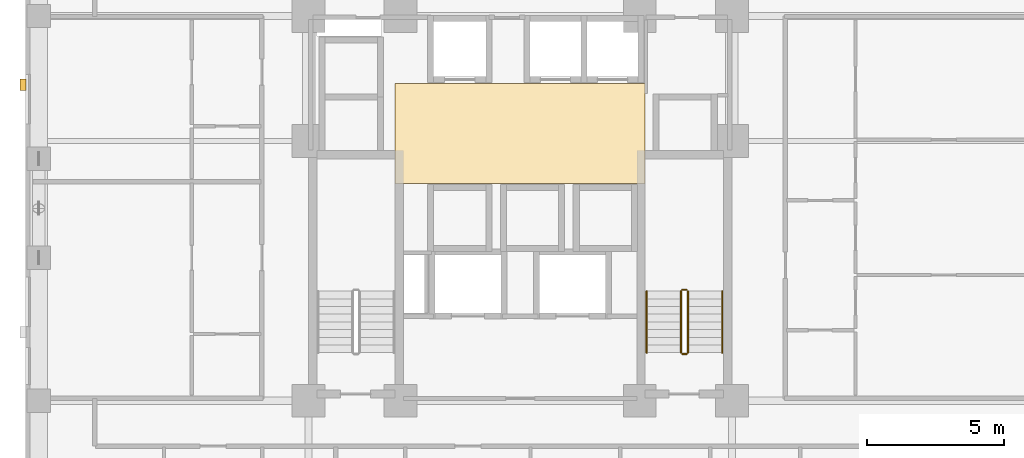
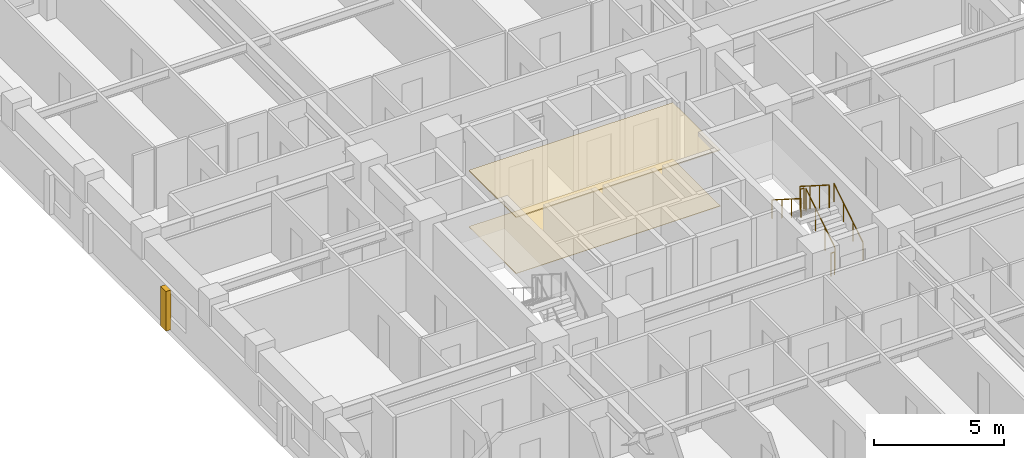
# One storey, part 13 of 14: 6 railings, 3 coverings.
"""IFC4 building model written with IfcOpenShell, lengths in metres."""

from ifc_helpers import new_model, si_unit, derived_unit, direction, frame, origin, origin_2d, place, context, subcontext, project, spatial, polyline, rectangle, circle, outline, extrude, material, layer, layer_set, type_object, element, save


model = new_model("IFC4")

# Units and contexts
model_context = context("Model", 3, precision=1e-05, world=origin(), true_north=direction((0.0, 1.0)))
body_context = subcontext(model_context, "Body", "Model", "MODEL_VIEW")
ifc_project = project(units=[si_unit("LENGTHUNIT", "METRE"), si_unit("AREAUNIT", "SQUARE_METRE"), si_unit("VOLUMEUNIT", "CUBIC_METRE"), si_unit("PLANEANGLEUNIT", "RADIAN"), si_unit("MASSUNIT", "GRAM", prefix="KILO"), derived_unit("THERMALTRANSMITTANCEUNIT", [(si_unit("MASSUNIT", "GRAM", prefix="KILO"), 1), (si_unit("TIMEUNIT", "SECOND"), -3), (si_unit("THERMODYNAMICTEMPERATUREUNIT", "KELVIN"), -1)])], contexts=[model_context])

# Site, building, storey
site_placement = place(None, origin())
site = spatial("IfcSite", under=ifc_project, at=site_placement, CompositionType="ELEMENT")
building_placement = place(site_placement, origin())
building = spatial("IfcBuilding", under=site, at=building_placement, Name="Korrvale Station Residences", CompositionType="ELEMENT")
storey_placement = place(building_placement, frame((0.0, 0.0, 67.39990234375)))
storey = spatial("IfcBuildingStorey", under=building, at=storey_placement, Name="L18", CompositionType="ELEMENT", Elevation=67.39990234375)

# Coverings
ifc_material_1 = material(Name="Perforated acoustic mineral-fibre suspended ceiling", Category="gypsum")
ifc_layer_1 = layer(ifc_material_1, 0.050048828125, Name="Perforated acoustic mineral-fibre suspended ceiling")
ifc_layer_set_1 = layer_set([ifc_layer_1], Name="Perforated acoustic mineral-fibre suspended ceiling")
covering_type_1 = type_object("IfcCoveringType", Name="COV-CLG-AC60", PredefinedType="CEILING", material=ifc_layer_set_1)
covering_1_placement = place(storey_placement, frame((0.0, 0.0, 2.630126953125)))
element("IfcCovering", 1, at=covering_1_placement, inside=storey, type_object=covering_type_1, Name="L18 Elevator Lobby Acoustic Ceiling", PredefinedType="CEILING", context=body_context, shape_type="SweptSolid", body=[
    extrude(outline(polyline([(20.949951171875, 22.89990234375), (30.050048828125, 22.89990234375), (30.050048828125, 26.550048828125), (20.949951171875, 26.550048828125), (20.949951171875, 22.89990234375)])), origin(), (0.0, 0.0, 1.0), 0.050048828125),
])
ifc_material_2 = material(Name="Polished quartz-terrazzo lobby flooring", Category="masonry")
ifc_layer_2 = layer(ifc_material_2, 0.02001953125, Name="Polished quartz-terrazzo lobby flooring")
ifc_layer_set_2 = layer_set([ifc_layer_2], Name="Polished quartz-terrazzo lobby flooring")
covering_type_2 = type_object("IfcCoveringType", Name="COV-FLR-TER20", PredefinedType="FLOORING", material=ifc_layer_set_2)
covering_2_placement = place(storey_placement, origin())
element("IfcCovering", 2, at=covering_2_placement, inside=storey, type_object=covering_type_2, Name="L18 Elevator Lobby Terrazzo Flooring", PredefinedType="FLOORING", context=body_context, shape_type="SweptSolid", body=[
    extrude(outline(polyline([(20.949951171875, 22.89990234375), (30.050048828125, 22.89990234375), (30.050048828125, 26.550048828125), (20.949951171875, 26.550048828125), (20.949951171875, 22.89990234375)])), origin(), (0.0, 0.0, 1.0), 0.02001953125),
])
ifc_material_3 = material(Name="Architectural precast concrete C45/55", Category="concrete")
ifc_layer_3 = layer(ifc_material_3, 0.219970703125, Name="Architectural precast concrete C45/55")
ifc_layer_set_3 = layer_set([ifc_layer_3], Name="Architectural precast concrete C45/55")
covering_type_3 = type_object("IfcCoveringType", Name="COV-PIER-400", PredefinedType="CLADDING", material=ifc_layer_set_3)
covering_3_placement = place(storey_placement, frame((7.409912109375, 26.5, 0.02490234375), z_axis=(0.0, 0.0, 1.0), x_axis=(0.0, 1.0, 0.0)))
element("IfcCovering", 3, at=covering_3_placement, inside=storey, type_object=covering_type_3, Name="L18 Architectural Precast Facade Pier 14", PredefinedType="CLADDING", context=body_context, shape_type="SweptSolid", body=[
    extrude(rectangle(XDim=0.419921875, YDim=0.219970703125, at=origin_2d()), origin(), (0.0, 0.0, 1.0), 1.864990234375),
])

# Railings
ifc_material_4 = material(Name="Brushed stainless-steel continuous stair handrail", Category="steel")
railing_type_1 = type_object("IfcRailingType", Name="RLG-SHND-900", PredefinedType="HANDRAIL", material=ifc_material_4)
railing_1_placement = place(storey_placement, frame((32.85009765625, 16.75, 0.177978515625)))
element("IfcRailing", 4, at=railing_1_placement, inside=storey, type_object=railing_type_1, Name="L18 ST-2 stair handrail 1", PredefinedType="HANDRAIL", context=body_context, shape_type="SweptSolid", body=[
    extrude(circle(Radius=0.02392578125, at=origin_2d()), frame((0.0, 0.0, 0.8759765625), z_axis=(0.0, 0.8442293374, 0.53598211339), x_axis=(-1.0, 0.0, 0.0)), (0.0, 0.0, 1.0), 2.6533203125),
    extrude(circle(Radius=0.02099609375, at=origin_2d()), origin(), (0.0, 0.0, 1.0), 0.851806640625),
    extrude(circle(Radius=0.02099609375, at=origin_2d()), frame((0.0, 0.74658203125, 0.47412109375)), (0.0, 0.0, 1.0), 0.851806640625),
    extrude(circle(Radius=0.02099609375, at=origin_2d()), frame((0.0, 1.493408203125, 0.947998046875)), (0.0, 0.0, 1.0), 0.851806640625),
    extrude(circle(Radius=0.02099609375, at=origin_2d()), frame((0.0, 2.239990234375, 1.422119140625)), (0.0, 0.0, 1.0), 0.851806640625),
])
railing_2_placement = place(storey_placement, frame((30.10009765625, 18.989990234375, 1.77783203125)))
element("IfcRailing", 5, at=railing_2_placement, inside=storey, type_object=railing_type_1, Name="L18 ST-2 stair handrail 2", PredefinedType="HANDRAIL", context=body_context, shape_type="SweptSolid", body=[
    extrude(circle(Radius=0.02392578125, at=origin_2d()), frame((0.0, 0.0, 0.8759765625), z_axis=(0.0, -0.84418770128, 0.536047689118), x_axis=(1.0, 0.0, 0.0)), (0.0, 0.0, 1.0), 2.6533203125),
    extrude(circle(Radius=0.02099609375, at=origin_2d()), origin(), (0.0, 0.0, 1.0), 0.851806640625),
    extrude(circle(Radius=0.02099609375, at=origin_2d()), frame((0.0, -0.74658203125, 0.47412109375)), (0.0, 0.0, 1.0), 0.851806640625),
    extrude(circle(Radius=0.02099609375, at=origin_2d()), frame((0.0, -1.493408203125, 0.9482421875)), (0.0, 0.0, 1.0), 0.851806640625),
    extrude(circle(Radius=0.02099609375, at=origin_2d()), frame((0.0, -2.239990234375, 1.42236328125)), (0.0, 0.0, 1.0), 0.851806640625),
])
ifc_material_5 = material(Name="Galvanised painted tubular steel stair guard", Category="steel")
railing_type_2 = type_object("IfcRailingType", Name="RLG-STR-1100", PredefinedType="GUARDRAIL", material=ifc_material_5)
railing_3_placement = place(storey_placement, frame((31.60009765625, 16.75, 0.177978515625)))
element("IfcRailing", 6, at=railing_3_placement, inside=storey, type_object=railing_type_2, Name="L18 ST-2 stair guard 1", PredefinedType="GUARDRAIL", context=body_context, shape_type="SweptSolid", body=[
    extrude(circle(Radius=0.02392578125, at=origin_2d()), frame((0.0, 0.0, 1.076171875), z_axis=(0.0, 0.8442293374, 0.53598211339), x_axis=(-1.0, 0.0, 0.0)), (0.0, 0.0, 1.0), 2.6533203125),
    extrude(circle(Radius=0.02099609375, at=origin_2d()), origin(), (0.0, 0.0, 1.0), 1.052001953125),
    extrude(circle(Radius=0.02099609375, at=origin_2d()), frame((0.0, 0.74658203125, 0.47412109375)), (0.0, 0.0, 1.0), 1.052001953125),
    extrude(circle(Radius=0.02099609375, at=origin_2d()), frame((0.0, 1.493408203125, 0.947998046875)), (0.0, 0.0, 1.0), 1.052001953125),
    extrude(circle(Radius=0.02099609375, at=origin_2d()), frame((0.0, 2.239990234375, 1.422119140625)), (0.0, 0.0, 1.0), 1.052001953125),
])
railing_4_placement = place(storey_placement, frame((31.550048828125, 19.0400390625, 1.60009765625)))
element("IfcRailing", 7, at=railing_4_placement, inside=storey, type_object=railing_type_2, Name="L18 ST-2 stair guard 2", PredefinedType="GUARDRAIL", context=body_context, shape_type="SweptSolid", body=[
    extrude(circle(Radius=0.02392578125, at=origin_2d()), frame((0.0, 0.0, 1.076171875), z_axis=(-1.0, 0.0, 0.0), x_axis=(0.0, -1.0, 0.0)), (0.0, 0.0, 1.0), 0.150146484375),
    extrude(circle(Radius=0.02099609375, at=origin_2d()), origin(), (0.0, 0.0, 1.0), 1.052001953125),
    extrude(circle(Radius=0.02099609375, at=origin_2d()), frame((-0.150146484375, 0.0, 0.0)), (0.0, 0.0, 1.0), 1.052001953125),
])
railing_5_placement = place(storey_placement, frame((31.35009765625, 18.989990234375, 1.77783203125)))
element("IfcRailing", 8, at=railing_5_placement, inside=storey, type_object=railing_type_2, Name="L18 ST-2 stair guard 3", PredefinedType="GUARDRAIL", context=body_context, shape_type="SweptSolid", body=[
    extrude(circle(Radius=0.02392578125, at=origin_2d()), frame((0.0, 0.0, 1.076171875), z_axis=(0.0, -0.84418770128, 0.536047689118), x_axis=(1.0, 0.0, 0.0)), (0.0, 0.0, 1.0), 2.6533203125),
    extrude(circle(Radius=0.02099609375, at=origin_2d()), origin(), (0.0, 0.0, 1.0), 1.052001953125),
    extrude(circle(Radius=0.02099609375, at=origin_2d()), frame((0.0, -0.74658203125, 0.47412109375)), (0.0, 0.0, 1.0), 1.052001953125),
    extrude(circle(Radius=0.02099609375, at=origin_2d()), frame((0.0, -1.493408203125, 0.9482421875)), (0.0, 0.0, 1.0), 1.052001953125),
    extrude(circle(Radius=0.02099609375, at=origin_2d()), frame((0.0, -2.239990234375, 1.42236328125)), (0.0, 0.0, 1.0), 1.052001953125),
])
railing_6_placement = place(storey_placement, frame((31.550048828125, 16.699951171875, 0.0)))
element("IfcRailing", 9, at=railing_6_placement, inside=storey, type_object=railing_type_2, Name="L18 ST-2 stair guard 4", PredefinedType="GUARDRAIL", context=body_context, shape_type="SweptSolid", body=[
    extrude(circle(Radius=0.02392578125, at=origin_2d()), frame((0.0, 0.0, 1.076171875), z_axis=(-1.0, 0.0, 0.0), x_axis=(0.0, -1.0, 0.0)), (0.0, 0.0, 1.0), 0.150146484375),
    extrude(circle(Radius=0.02099609375, at=origin_2d()), origin(), (0.0, 0.0, 1.0), 1.052001953125),
    extrude(circle(Radius=0.02099609375, at=origin_2d()), frame((-0.150146484375, 0.0, 0.0)), (0.0, 0.0, 1.0), 1.052001953125),
])

save(model, "model.ifc")
